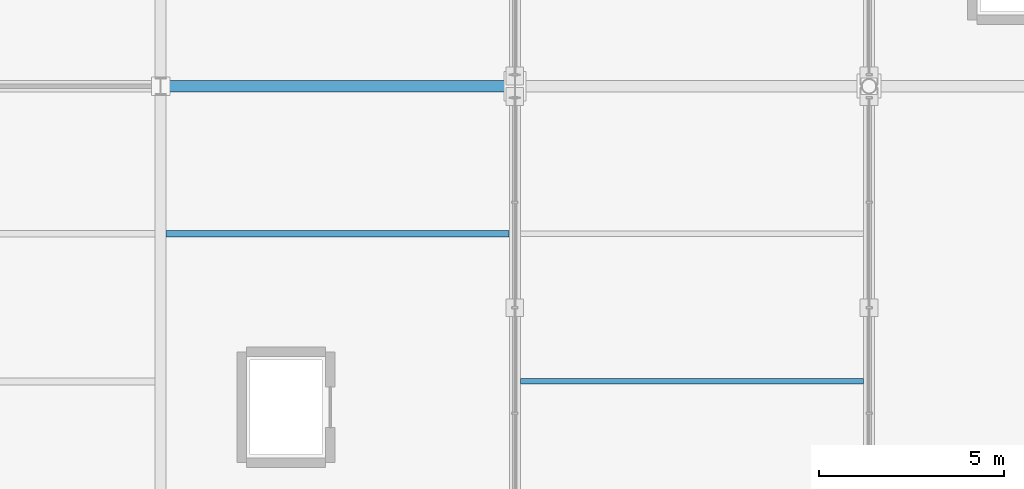
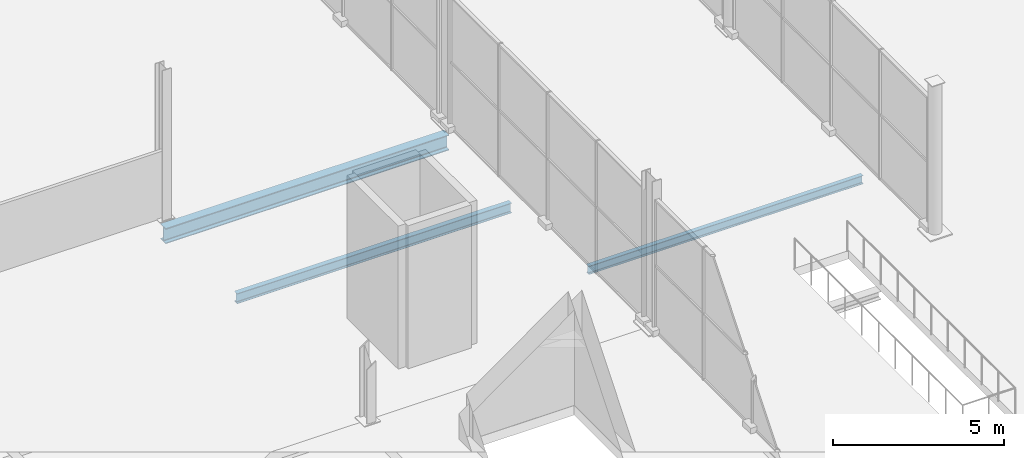
# One storey, part 94 of 196: 3 beams.
"""IFC4 building model written with IfcOpenShell, lengths in metres."""

from ifc_helpers import new_model, si_unit, direction, frame, origin, origin_2d, place, context, subcontext, project, spatial, i_section, extrude, material, material_profile, profile_set, type_object, element, save


model = new_model("IFC4")

# Units and contexts
model_context = context("Model", 3, precision=1e-05, world=origin(), true_north=direction((0.0, 1.0)))
body_context = subcontext(model_context, "Body", "Model", "MODEL_VIEW")
ifc_project = project(units=[si_unit("LENGTHUNIT", "METRE"), si_unit("AREAUNIT", "SQUARE_METRE"), si_unit("VOLUMEUNIT", "CUBIC_METRE"), si_unit("PLANEANGLEUNIT", "RADIAN"), si_unit("MASSUNIT", "GRAM", prefix="KILO")], contexts=[model_context])

# Site, building, storey
site_placement = place(None, origin())
site = spatial("IfcSite", under=ifc_project, at=site_placement, CompositionType="ELEMENT")
building_placement = place(site_placement, origin())
building = spatial("IfcBuilding", under=site, at=building_placement, Name="Merenkruunu Market Hall", CompositionType="ELEMENT")
storey_placement = place(building_placement, origin())
storey = spatial("IfcBuildingStorey", under=building, at=storey_placement, Name="L00", CompositionType="ELEMENT", Elevation=0.0)

# Beams
ifc_material = material(Name="Steel S355J2", Category="steel")
ifc_material_profile_1 = material_profile(ifc_material, i_section(OverallWidth=0.300048828125, OverallDepth=0.550048828125, WebThickness=0.014892578125, FlangeThickness=0.029052734375, FilletRadius=0.027099609375, at=origin_2d()), Name="HEB 550")
ifc_profile_set_1 = profile_set([ifc_material_profile_1], Name="Steel S355J2")
beam_type_1 = type_object("IfcBeamType", Name="Primary Floor Girder B02", PredefinedType="BEAM", material=ifc_profile_set_1)
beam_1_placement = place(storey_placement, frame((48.0, 75.60009765625, -0.614990234375), z_axis=(1.0, 0.0, 0.0), x_axis=(0.0, 1.0, 0.0)))
element("IfcBeam", 1, at=beam_1_placement, inside=storey, type_object=beam_type_1, Name="BM-L00-B02-0103", PredefinedType="BEAM", context=body_context, shape_type="SweptSolid", body=[
    extrude(i_section(OverallWidth=0.300048828125, OverallDepth=0.550048828125, WebThickness=0.014892578125, FlangeThickness=0.029052734375, FilletRadius=0.027099609375, at=origin_2d()), origin(), (0.0, 0.0, 1.0), 9.60009765625),
])
ifc_material_profile_2 = material_profile(ifc_material, i_section(OverallWidth=0.169921875, OverallDepth=0.360107421875, WebThickness=0.008056640625, FlangeThickness=0.0126953125, FilletRadius=0.01806640625, at=origin_2d()), Name="IPE 360")
ifc_profile_set_2 = profile_set([ifc_material_profile_2], Name="Steel S355J2")
beam_type_2 = type_object("IfcBeamType", Name="Secondary Floor Joist J03", PredefinedType="JOIST", material=ifc_profile_set_2)
beam_2_placement = place(storey_placement, frame((48.153076171875, 71.60009765625, -0.52001953125), z_axis=(1.0, 0.0, 0.0), x_axis=(0.0, 1.0, 0.0)))
element("IfcBeam", 2, at=beam_2_placement, inside=storey, type_object=beam_type_2, Name="BM-L00-J03-0339", PredefinedType="JOIST", context=body_context, shape_type="SweptSolid", body=[
    extrude(i_section(OverallWidth=0.169921875, OverallDepth=0.360107421875, WebThickness=0.008056640625, FlangeThickness=0.0126953125, FilletRadius=0.01806640625, at=origin_2d()), origin(), (0.0, 0.0, 1.0), 9.2939453125),
])
ifc_material_profile_3 = material_profile(ifc_material, i_section(OverallWidth=0.14990234375, OverallDepth=0.300048828125, WebThickness=0.007080078125, FlangeThickness=0.0107421875, FilletRadius=0.014892578125, at=origin_2d()), Name="IPE 300")
ifc_profile_set_3 = profile_set([ifc_material_profile_3], Name="Steel S355J2")
beam_type_3 = type_object("IfcBeamType", Name="Secondary Floor Joist J04", PredefinedType="JOIST", material=ifc_profile_set_3)
beam_3_placement = place(storey_placement, frame((57.7529296875, 67.60009765625, -0.449951171875), z_axis=(1.0, 0.0, 0.0), x_axis=(0.0, 1.0, 0.0)))
element("IfcBeam", 3, at=beam_3_placement, inside=storey, type_object=beam_type_3, Name="BM-L00-J04-0352", PredefinedType="JOIST", context=body_context, shape_type="SweptSolid", body=[
    extrude(i_section(OverallWidth=0.14990234375, OverallDepth=0.300048828125, WebThickness=0.007080078125, FlangeThickness=0.0107421875, FilletRadius=0.014892578125, at=origin_2d()), origin(), (0.0, 0.0, 1.0), 9.294189453125),
])

save(model, "model.ifc")
